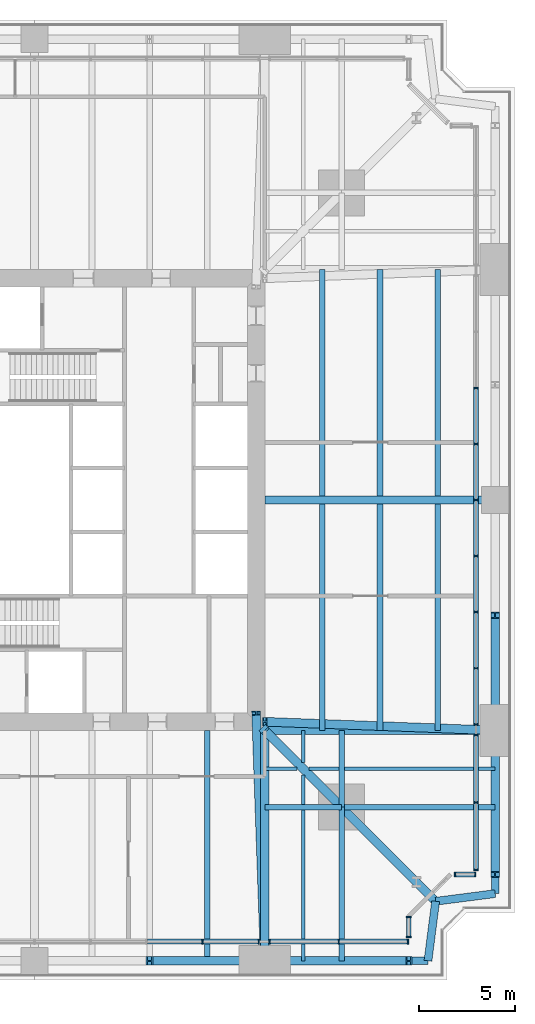
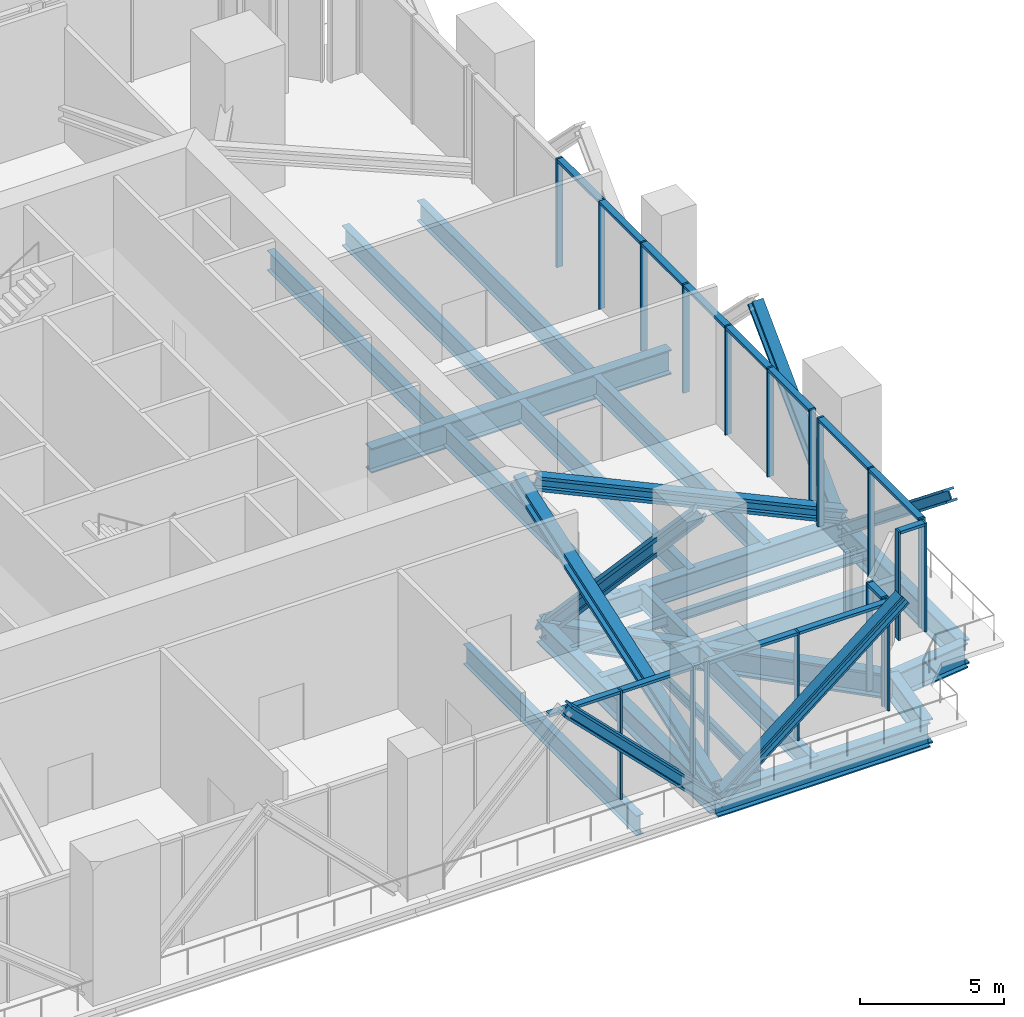
# One storey, part 4 of 13: 40 members, 26 beams, 6 elements without a shape of their own.
"""IFC4 building model written with IfcOpenShell, lengths in metres."""

from ifc_helpers import new_model, si_unit, direction, frame, origin, origin_2d, place, context, subcontext, project, spatial, rectangle, i_section, extrude, material, material_profile, profile_set, type_object, element, aggregate, save


model = new_model("IFC4")

# Units and contexts
model_context = context("Model", 3, precision=1e-05, world=origin(), true_north=direction((0.0, 1.0)))
body_context = subcontext(model_context, "Body", "Model", "MODEL_VIEW")
ifc_project = project(units=[si_unit("LENGTHUNIT", "METRE"), si_unit("AREAUNIT", "SQUARE_METRE"), si_unit("VOLUMEUNIT", "CUBIC_METRE"), si_unit("PLANEANGLEUNIT", "RADIAN"), si_unit("MASSUNIT", "GRAM", prefix="KILO")], contexts=[model_context])

# Site, building, storey
site_placement = place(None, origin())
site = spatial("IfcSite", under=ifc_project, at=site_placement, CompositionType="ELEMENT")
building_placement = place(site_placement, origin())
building = spatial("IfcBuilding", under=site, at=building_placement, Name="Fenwick Lantern Interchange", CompositionType="ELEMENT")
storey_placement = place(building_placement, frame((0.0, 0.0, 91.0)))
storey = spatial("IfcBuildingStorey", under=building, at=storey_placement, Name="L21", CompositionType="ELEMENT", Elevation=91.0)

# Members
ifc_material_1 = material(Name="Steel ASTM A992 Grade 50", Category="steel")
ifc_material_profile_1 = material_profile(ifc_material_1, i_section(OverallWidth=0.431884765625, OverallDepth=0.497802734375, WebThickness=0.0556640625, FlangeThickness=0.0888671875, at=origin_2d()), Name="W14X500")
ifc_profile_set_1 = profile_set([ifc_material_profile_1], Name="Steel ASTM A992 Grade 50")
member_type_1 = type_object("IfcMemberType", Name="BELT TRUSS DIAGONAL W14X500", PredefinedType="BRACE", material=ifc_profile_set_1)
member_1_placement = place(storey_placement, frame((37.0, 1.0, -0.64990234375), z_axis=(-0.707106781187, 0.0, 0.707106781187), x_axis=(0.0, -1.0, 0.0)))
element("IfcMember", 1, at=member_1_placement, inside=storey, type_object=member_type_1, Name="L21/BT/S/D5", PredefinedType="BRACE", context=body_context, shape_type="SweptSolid", body=[
    extrude(i_section(OverallWidth=0.431884765625, OverallDepth=0.497802734375, WebThickness=0.0556640625, FlangeThickness=0.0888671875, at=origin_2d()), origin(), (0.0, 0.0, 1.0), 8.4853515625),
])
for number, where, z_axis, x_axis, name in (
    (2, (37.0, 1.0, -0.64990234375), (0.780868809443, 0.0, 0.624695047554), (0.0, 1.0, 0.0), "L21/BT/S/D6"),
    (3, (49.0, 13.0, -0.64990234375), (0.0, -0.780868809443, 0.624695047554), (1.0, 0.0, 0.0), "L21/BT/E/D1"),
):
    element("IfcMember", number, at=place(storey_placement, frame(where, z_axis=z_axis, x_axis=x_axis)), inside=storey, type_object=member_type_1, Name=name, PredefinedType="BRACE", context=body_context, shape_type="SweptSolid", body=[
        extrude(i_section(OverallWidth=0.431884765625, OverallDepth=0.497802734375, WebThickness=0.0556640625, FlangeThickness=0.0888671875, at=origin_2d()), origin(), (0.0, 0.0, 1.0), 9.604736328125),
    ])
member_2_placement = place(storey_placement, frame((49.0, 13.0, -0.64990234375), z_axis=(0.0, 0.707106781187, 0.707106781187), x_axis=(-1.0, 0.0, 0.0)))
element("IfcMember", 4, at=member_2_placement, inside=storey, type_object=member_type_1, Name="L21/BT/E/D2", PredefinedType="BRACE", context=body_context, shape_type="SweptSolid", body=[
    extrude(i_section(OverallWidth=0.431884765625, OverallDepth=0.497802734375, WebThickness=0.0556640625, FlangeThickness=0.0888671875, at=origin_2d()), origin(), (0.0, 0.0, 1.0), 8.4853515625),
])

# Beams
ifc_material_profile_2 = material_profile(ifc_material_1, i_section(OverallWidth=0.408935546875, OverallDepth=1.04150390625, WebThickness=0.031005859375, FlangeThickness=0.055908203125, at=origin_2d()), Name="W40X397")
ifc_profile_set_2 = profile_set([ifc_material_profile_2], Name="Steel ASTM A992 Grade 50")
beam_type_1 = type_object("IfcBeamType", Name="EDGE BEAM W40X397", PredefinedType="SPANDREL", material=ifc_profile_set_2)
beam_1_placement = place(storey_placement, frame((37.0, 1.0, -0.720703125), z_axis=(1.0, 0.0, 0.0), x_axis=(0.0, 1.0, 0.0)))
element("IfcBeam", 5, at=beam_1_placement, inside=storey, type_object=beam_type_1, Name="L21/FR/S/EB4", PredefinedType="SPANDREL", context=body_context, shape_type="SweptSolid", body=[
    extrude(i_section(OverallWidth=0.408935546875, OverallDepth=1.04150390625, WebThickness=0.031005859375, FlangeThickness=0.055908203125, at=origin_2d()), origin(), (0.0, 0.0, 1.0), 8.5),
])
for number, where, z_axis, x_axis, name in (
    (6, (45.5, 1.0, -0.720703125), (0.127936641807, 0.991782342897, 0.0), (-0.991782342897, 0.127936641807, 0.0), "L21/FR/S/EBR1"),
    (7, (45.89990234375, 4.10009765625, -0.720703125), (0.991782342897, 0.127936641807, 0.0), (-0.127936641807, 0.991782342897, 0.0), "L21/FR/S/EBR2"),
):
    element("IfcBeam", number, at=place(storey_placement, frame(where, z_axis=z_axis, x_axis=x_axis)), inside=storey, type_object=beam_type_1, Name=name, PredefinedType="SPANDREL", context=body_context, shape_type="SweptSolid", body=[
        extrude(i_section(OverallWidth=0.408935546875, OverallDepth=1.04150390625, WebThickness=0.031005859375, FlangeThickness=0.055908203125, at=origin_2d()), origin(), (0.0, 0.0, 1.0), 3.125732421875),
    ])
beam_2_placement = place(storey_placement, frame((49.0, 4.5, -0.720703125), z_axis=(0.0, 1.0, 0.0), x_axis=(-1.0, 0.0, 0.0)))
element("IfcBeam", 8, at=beam_2_placement, inside=storey, type_object=beam_type_1, Name="L21/FR/E/EB1", PredefinedType="SPANDREL", context=body_context, shape_type="SweptSolid", body=[
    extrude(i_section(OverallWidth=0.408935546875, OverallDepth=1.04150390625, WebThickness=0.031005859375, FlangeThickness=0.055908203125, at=origin_2d()), origin(), (0.0, 0.0, 1.0), 8.5),
])
ifc_material_profile_3 = material_profile(ifc_material_1, i_section(OverallWidth=0.2919921875, OverallDepth=0.845703125, WebThickness=0.015380859375, FlangeThickness=0.0244140625, at=origin_2d()), Name="W33X141")
ifc_profile_set_3 = profile_set([ifc_material_profile_3], Name="Steel ASTM A992 Grade 50")
beam_type_2 = type_object("IfcBeamType", Name="FLOOR BEAM W33X141", PredefinedType="BEAM", material=ifc_profile_set_3)
beam_3_placement = place(storey_placement, frame((34.0, 1.0, -0.622802734375), z_axis=(0.0, 1.0, 0.0), x_axis=(-1.0, 0.0, 0.0)))
element("IfcBeam", 9, at=beam_3_placement, inside=storey, type_object=beam_type_2, Name="L21/FR/S/R08", PredefinedType="BEAM", context=body_context, shape_type="SweptSolid", body=[
    extrude(i_section(OverallWidth=0.2919921875, OverallDepth=0.845703125, WebThickness=0.015380859375, FlangeThickness=0.0244140625, at=origin_2d()), origin(), (0.0, 0.0, 1.0), 12.0),
])
for number, where, z_axis, x_axis, name in (
    (10, (46.0, 13.0, -0.622802734375), (0.0, 1.0, 0.0), (-1.0, 0.0, 0.0), "L21/FR/E/B01"),
    (11, (43.0, 13.0, -0.622802734375), (0.0, 1.0, 0.0), (-1.0, 0.0, 0.0), "L21/FR/E/B02"),
    (12, (40.0, 13.0, -0.622802734375), (0.0, 1.0, 0.0), (-1.0, 0.0, 0.0), "L21/FR/E/B03"),
    (13, (46.0, 25.20458984375, -0.622802734375), (0.0, 1.0, 0.0), (-1.0, 0.0, 0.0), "L21/FR/E/B04"),
    (14, (43.0, 25.20458984375, -0.622802734375), (0.0, 1.0, 0.0), (-1.0, 0.0, 0.0), "L21/FR/E/B05"),
    (15, (40.0, 25.20458984375, -0.622802734375), (0.0, 1.0, 0.0), (-1.0, 0.0, 0.0), "L21/FR/E/B06"),
):
    element("IfcBeam", number, at=place(storey_placement, frame(where, z_axis=z_axis, x_axis=x_axis)), inside=storey, type_object=beam_type_2, Name=name, PredefinedType="BEAM", context=body_context, shape_type="SweptSolid", body=[
        extrude(i_section(OverallWidth=0.2919921875, OverallDepth=0.845703125, WebThickness=0.015380859375, FlangeThickness=0.0244140625, at=origin_2d()), origin(), (0.0, 0.0, 1.0), 11.79541015625),
    ])
ifc_material_profile_4 = material_profile(ifc_material_1, i_section(OverallWidth=0.177734375, OverallDepth=0.406494140625, WebThickness=0.0078125, FlangeThickness=0.012939453125, at=origin_2d()), Name="W16X40")
ifc_profile_set_4 = profile_set([ifc_material_profile_4], Name="Steel ASTM A992 Grade 50")
beam_type_3 = type_object("IfcBeamType", Name="INFILL BEAM W16X40", PredefinedType="JOIST", material=ifc_profile_set_4)
beam_4_placement = place(storey_placement, frame((49.0, 11.0, -0.4033203125), z_axis=(-1.0, 0.0, 0.0), x_axis=(0.0, -1.0, 0.0)))
element("IfcBeam", 16, at=beam_4_placement, inside=storey, type_object=beam_type_3, Name="L21/FR/E/J1", PredefinedType="JOIST", context=body_context, shape_type="SweptSolid", body=[
    extrude(i_section(OverallWidth=0.177734375, OverallDepth=0.406494140625, WebThickness=0.0078125, FlangeThickness=0.012939453125, at=origin_2d()), origin(), (0.0, 0.0, 1.0), 7.85400390625),
])
beam_5_placement = place(storey_placement, frame((40.85400390625, 11.0, -0.4033203125), z_axis=(-1.0, 0.0, 0.0), x_axis=(0.0, -1.0, 0.0)))
element("IfcBeam", 17, at=beam_5_placement, inside=storey, type_object=beam_type_3, Name="L21/FR/E/J2", PredefinedType="JOIST", context=body_context, shape_type="SweptSolid", body=[
    extrude(i_section(OverallWidth=0.177734375, OverallDepth=0.406494140625, WebThickness=0.0078125, FlangeThickness=0.012939453125, at=origin_2d()), origin(), (0.0, 0.0, 1.0), 1.537841796875),
])
beam_6_placement = place(storey_placement, frame((38.683837890625, 11.0, -0.4033203125), z_axis=(-1.0, 0.0, 0.0), x_axis=(0.0, -1.0, 0.0)))
element("IfcBeam", 18, at=beam_6_placement, inside=storey, type_object=beam_type_3, Name="L21/FR/E/J6", PredefinedType="JOIST", context=body_context, shape_type="SweptSolid", body=[
    extrude(i_section(OverallWidth=0.177734375, OverallDepth=0.406494140625, WebThickness=0.0078125, FlangeThickness=0.012939453125, at=origin_2d()), origin(), (0.0, 0.0, 1.0), 1.683837890625),
])
beam_7_placement = place(storey_placement, frame((39.0, 1.0, -0.4033203125), z_axis=(0.0, 1.0, 0.0), x_axis=(-1.0, 0.0, 0.0)))
element("IfcBeam", 19, at=beam_7_placement, inside=storey, type_object=beam_type_3, Name="L21/FR/E/J3", PredefinedType="JOIST", context=body_context, shape_type="SweptSolid", body=[
    extrude(i_section(OverallWidth=0.177734375, OverallDepth=0.406494140625, WebThickness=0.0078125, FlangeThickness=0.012939453125, at=origin_2d()), origin(), (0.0, 0.0, 1.0), 7.85400390625),
])
beam_8_placement = place(storey_placement, frame((39.0, 9.14599609375, -0.4033203125), z_axis=(0.0, 1.0, 0.0), x_axis=(-1.0, 0.0, 0.0)))
element("IfcBeam", 20, at=beam_8_placement, inside=storey, type_object=beam_type_3, Name="L21/FR/E/J4", PredefinedType="JOIST", context=body_context, shape_type="SweptSolid", body=[
    extrude(i_section(OverallWidth=0.177734375, OverallDepth=0.406494140625, WebThickness=0.0078125, FlangeThickness=0.012939453125, at=origin_2d()), origin(), (0.0, 0.0, 1.0), 1.537841796875),
])
beam_9_placement = place(storey_placement, frame((39.0, 11.316162109375, -0.4033203125), z_axis=(0.0, 1.0, 0.0), x_axis=(-1.0, 0.0, 0.0)))
element("IfcBeam", 21, at=beam_9_placement, inside=storey, type_object=beam_type_3, Name="L21/FR/E/J5", PredefinedType="JOIST", context=body_context, shape_type="SweptSolid", body=[
    extrude(i_section(OverallWidth=0.177734375, OverallDepth=0.406494140625, WebThickness=0.0078125, FlangeThickness=0.012939453125, at=origin_2d()), origin(), (0.0, 0.0, 1.0), 1.683837890625),
])
ifc_material_profile_5 = material_profile(ifc_material_1, i_section(OverallWidth=0.2919921875, OverallDepth=0.845703125, WebThickness=0.015380859375, FlangeThickness=0.0244140625, at=origin_2d()), Name="W33X141")
ifc_profile_set_5 = profile_set([ifc_material_profile_5], Name="Steel ASTM A992 Grade 50")
beam_type_4 = type_object("IfcBeamType", Name="MEGA COLUMN BEAM W33X141", PredefinedType="BEAM", material=ifc_profile_set_5)
for number, where, z_axis, x_axis, name in (
    (22, (41.0, 9.0, -0.622802734375), (1.0, 0.0, 0.0), (0.0, 1.0, 0.0), "L21/FR/E/MB1"),
    (23, (41.0, 9.0, -0.622802734375), (0.0, -1.0, 0.0), (1.0, 0.0, 0.0), "L21/FR/E/MB2"),
):
    element("IfcBeam", number, at=place(storey_placement, frame(where, z_axis=z_axis, x_axis=x_axis)), inside=storey, type_object=beam_type_4, Name=name, PredefinedType="BEAM", context=body_context, shape_type="SweptSolid", body=[
        extrude(i_section(OverallWidth=0.2919921875, OverallDepth=0.845703125, WebThickness=0.015380859375, FlangeThickness=0.0244140625, at=origin_2d()), origin(), (0.0, 0.0, 1.0), 8.0),
    ])
for number, where, z_axis, x_axis, name in (
    (24, (41.0, 9.0, -0.622802734375), (0.0, 1.0, 0.0), (-1.0, 0.0, 0.0), "L21/FR/E/MB3"),
    (25, (41.0, 9.0, -0.622802734375), (-1.0, 0.0, 0.0), (0.0, -1.0, 0.0), "L21/FR/E/MB4"),
):
    element("IfcBeam", number, at=place(storey_placement, frame(where, z_axis=z_axis, x_axis=x_axis)), inside=storey, type_object=beam_type_4, Name=name, PredefinedType="BEAM", context=body_context, shape_type="SweptSolid", body=[
        extrude(i_section(OverallWidth=0.2919921875, OverallDepth=0.845703125, WebThickness=0.015380859375, FlangeThickness=0.0244140625, at=origin_2d()), origin(), (0.0, 0.0, 1.0), 4.0),
    ])
ifc_material_profile_6 = material_profile(ifc_material_1, i_section(OverallWidth=0.424072265625, OverallDepth=0.947509765625, WebThickness=0.02392578125, FlangeThickness=0.042724609375, at=origin_2d()), Name="W36X302")
ifc_profile_set_6 = profile_set([ifc_material_profile_6], Name="Steel ASTM A992 Grade 50")
beam_type_5 = type_object("IfcBeamType", Name="MOMENT-CONNECTED GIRDER W36X302", PredefinedType="BEAM", material=ifc_profile_set_6)
for number, where, z_axis, x_axis, name in (
    (26, (37.0, 1.0, -0.673828125), (0.0, 1.0, 0.0), (-1.0, 0.0, 0.0), "L21/FR/S/R09"),
    (27, (49.0, 13.0, -0.673828125), (-1.0, 0.0, 0.0), (0.0, -1.0, 0.0), "L21/FR/E/R01"),
):
    element("IfcBeam", number, at=place(storey_placement, frame(where, z_axis=z_axis, x_axis=x_axis)), inside=storey, type_object=beam_type_5, Name=name, PredefinedType="BEAM", context=body_context, shape_type="SweptSolid", body=[
        extrude(i_section(OverallWidth=0.424072265625, OverallDepth=0.947509765625, WebThickness=0.02392578125, FlangeThickness=0.042724609375, at=origin_2d()), origin(), (0.0, 0.0, 1.0), 12.0),
    ])
ifc_material_profile_7 = material_profile(ifc_material_1, i_section(OverallWidth=0.408935546875, OverallDepth=1.04150390625, WebThickness=0.031005859375, FlangeThickness=0.055908203125, at=origin_2d()), Name="W40X397")
ifc_profile_set_7 = profile_set([ifc_material_profile_7], Name="Steel ASTM A992 Grade 50")
beam_type_6 = type_object("IfcBeamType", Name="MOMENT-CONNECTED GIRDER W40X397", PredefinedType="BEAM", material=ifc_profile_set_7)
beam_10_placement = place(storey_placement, frame((49.0, 25.0, -0.720703125), z_axis=(-1.0, 0.0, 0.0), x_axis=(0.0, -1.0, 0.0)))
element("IfcBeam", 28, at=beam_10_placement, inside=storey, type_object=beam_type_6, Name="L21/FR/E/R02", PredefinedType="BEAM", context=body_context, shape_type="SweptSolid", body=[
    extrude(i_section(OverallWidth=0.408935546875, OverallDepth=1.04150390625, WebThickness=0.031005859375, FlangeThickness=0.055908203125, at=origin_2d()), origin(), (0.0, 0.0, 1.0), 12.0),
])
ifc_material_profile_8 = material_profile(ifc_material_1, i_section(OverallWidth=0.447021484375, OverallDepth=1.0439453125, WebThickness=0.050048828125, FlangeThickness=0.08984375, at=origin_2d()), Name="W36X652")
ifc_profile_set_8 = profile_set([ifc_material_profile_8], Name="Steel ASTM A992 Grade 50")
beam_type_7 = type_object("IfcBeamType", Name="NOTCH BEAM W36X652", PredefinedType="BEAM", material=ifc_profile_set_8)
beam_11_placement = place(storey_placement, frame((41.0, 9.0, -0.721923828125), z_axis=(0.707106781187, -0.707106781187, 0.0), x_axis=(0.707106781187, 0.707106781187, 0.0)))
element("IfcBeam", 29, at=beam_11_placement, inside=storey, type_object=beam_type_7, Name="L21/FR/E/TG", PredefinedType="BEAM", context=body_context, shape_type="SweptSolid", body=[
    extrude(i_section(OverallWidth=0.447021484375, OverallDepth=1.0439453125, WebThickness=0.050048828125, FlangeThickness=0.08984375, at=origin_2d()), origin(), (0.0, 0.0, 1.0), 6.929443359375),
])
ifc_material_profile_9 = material_profile(ifc_material_1, i_section(OverallWidth=0.447021484375, OverallDepth=1.0439453125, WebThickness=0.050048828125, FlangeThickness=0.08984375, at=origin_2d()), Name="W36X652")
ifc_profile_set_9 = profile_set([ifc_material_profile_9], Name="Steel ASTM A992 Grade 50")
beam_type_8 = type_object("IfcBeamType", Name="OUTRIGGER CHORD W36X652", PredefinedType="BEAM", material=ifc_profile_set_9)
beam_12_placement = place(storey_placement, frame((37.0, 13.0, -0.721923828125), z_axis=(0.707106781187, -0.707106781187, 0.0), x_axis=(0.707106781187, 0.707106781187, 0.0)))
element("IfcBeam", 30, at=beam_12_placement, inside=storey, type_object=beam_type_8, Name="L21/OR/E/BC", PredefinedType="BEAM", context=body_context, shape_type="SweptSolid", body=[
    extrude(i_section(OverallWidth=0.447021484375, OverallDepth=1.0439453125, WebThickness=0.050048828125, FlangeThickness=0.08984375, at=origin_2d()), origin(), (0.0, 0.0, 1.0), 5.65673828125),
])

# Members
ifc_material_profile_10 = material_profile(ifc_material_1, i_section(OverallWidth=0.45458984375, OverallDepth=0.56884765625, WebThickness=0.077880859375, FlangeThickness=0.124755859375, at=origin_2d()), Name="W14X730")
ifc_profile_set_10 = profile_set([ifc_material_profile_10], Name="Steel ASTM A992 Grade 50")
member_type_2 = type_object("IfcMemberType", Name="OUTRIGGER DIAGONAL W14X730", PredefinedType="BRACE", material=ifc_profile_set_10)
member_3_placement = place(storey_placement, frame((37.0, 1.0, 0.0), z_axis=(-0.032223486879, 0.923833206581, 0.381436565252), x_axis=(-0.999392240336, -0.034859001078, 0.0)))
element("IfcMember", 31, at=member_3_placement, inside=storey, type_object=member_type_2, Name="L21/OR/S/W2", PredefinedType="BRACE", context=body_context, shape_type="SweptSolid", body=[
    extrude(i_section(OverallWidth=0.45458984375, OverallDepth=0.56884765625, WebThickness=0.077880859375, FlangeThickness=0.124755859375, at=origin_2d()), origin(), (0.0, 0.0, 1.0), 13.96337890625),
])
member_4_placement = place(storey_placement, frame((37.0, 13.0, -0.721923828125), z_axis=(0.485071250073, -0.485071250073, 0.727606875109), x_axis=(0.707106781187, 0.707106781187, 0.0)))
element("IfcMember", 32, at=member_4_placement, inside=storey, type_object=member_type_2, Name="L21/OR/E/D", PredefinedType="BRACE", context=body_context, shape_type="SweptSolid", body=[
    extrude(i_section(OverallWidth=0.45458984375, OverallDepth=0.56884765625, WebThickness=0.077880859375, FlangeThickness=0.124755859375, at=origin_2d()), origin(), (0.0, 0.0, 1.0), 8.24609375),
])
member_5_placement = place(storey_placement, frame((49.0, 13.0, 0.0), z_axis=(-0.913477570557, 0.034251691946, 0.405444878729), x_axis=(-0.037469600146, -0.999297767968, 0.0)))
element("IfcMember", 33, at=member_5_placement, inside=storey, type_object=member_type_2, Name="L21/OR/E/W1", PredefinedType="BRACE", context=body_context, shape_type="SweptSolid", body=[
    extrude(i_section(OverallWidth=0.45458984375, OverallDepth=0.56884765625, WebThickness=0.077880859375, FlangeThickness=0.124755859375, at=origin_2d()), origin(), (0.0, 0.0, 1.0), 13.13671875),
])

# Curtain wall, members
ifc_material_2 = material(Name="Aluminium curtain wall frame", Category="aluminium")
curtain_wall_type = type_object("IfcCurtainWallType", Name="PLANT LOUVRE SCREEN", PredefinedType="USERDEFINED", material=ifc_material_2)
curtain_wall_1_placement = place(storey_placement, origin())
curtain_wall_1 = element("IfcCurtainWall", 34, at=curtain_wall_1_placement, inside=storey, type_object=curtain_wall_type, Name="Plant louvre screen 01", ObjectType="PLANT LOUVRE SCREEN", PredefinedType="USERDEFINED")
ifc_material_3 = material(Name="Aluminium extrusion", Category="aluminium")
ifc_material_profile_11 = material_profile(ifc_material_3, rectangle(XDim=0.25, YDim=0.074951171875, at=origin_2d()), Name="PLANT LOUVRE SCREEN MULLION 75 X 250")
ifc_profile_set_11 = profile_set([ifc_material_profile_11], Name="Aluminium extrusion")
member_type_3 = type_object("IfcMemberType", Name="PLANT LOUVRE SCREEN MULLION 75 X 250", PredefinedType="MULLION", material=ifc_profile_set_11)
member_6_placement = place(storey_placement, frame((44.5, 2.237548828125, 0.0), z_axis=(0.0, 0.0, 1.0), x_axis=(-1.0, 0.0, 0.0)))
member_6 = element("IfcMember", 35, at=member_6_placement, type_object=member_type_3, Name="L21/CW/01/M00", PredefinedType="MULLION", context=body_context, shape_type="SweptSolid", body=[
    extrude(rectangle(XDim=0.25, YDim=0.074951171875, at=origin_2d()), origin(), (0.0, 0.0, 1.0), 4.60009765625),
])
member_7_placement = place(storey_placement, frame((44.5, 3.291015625, 0.0), z_axis=(0.0, 0.0, 1.0), x_axis=(-1.0, 0.0, 0.0)))
member_7 = element("IfcMember", 36, at=member_7_placement, type_object=member_type_3, Name="L21/CW/01/M01", PredefinedType="MULLION", context=body_context, shape_type="SweptSolid", body=[
    extrude(rectangle(XDim=0.25, YDim=0.074951171875, at=origin_2d()), origin(), (0.0, 0.0, 1.0), 4.60009765625),
])

curtain_wall_2_placement = place(storey_placement, origin())
curtain_wall_2 = element("IfcCurtainWall", 37, at=curtain_wall_2_placement, inside=storey, type_object=curtain_wall_type, Name="Plant louvre screen 03", ObjectType="PLANT LOUVRE SCREEN", PredefinedType="USERDEFINED")
member_8_placement = place(storey_placement, frame((46.9091796875, 5.5, 0.0), z_axis=(0.0, 0.0, 1.0), x_axis=(0.0, 1.0, 0.0)))
member_8 = element("IfcMember", 38, at=member_8_placement, type_object=member_type_3, Name="L21/CW/03/M00", PredefinedType="MULLION", context=body_context, shape_type="SweptSolid", body=[
    extrude(rectangle(XDim=0.25, YDim=0.074951171875, at=origin_2d()), origin(), (0.0, 0.0, 1.0), 4.60009765625),
])
member_9_placement = place(storey_placement, frame((47.96240234375, 5.5, 0.0), z_axis=(0.0, 0.0, 1.0), x_axis=(0.0, 1.0, 0.0)))
member_9 = element("IfcMember", 39, at=member_9_placement, type_object=member_type_3, Name="L21/CW/03/M01", PredefinedType="MULLION", context=body_context, shape_type="SweptSolid", body=[
    extrude(rectangle(XDim=0.25, YDim=0.074951171875, at=origin_2d()), origin(), (0.0, 0.0, 1.0), 4.60009765625),
])

curtain_wall_3_placement = place(storey_placement, origin())
curtain_wall_3 = element("IfcCurtainWall", 40, at=curtain_wall_3_placement, inside=storey, type_object=curtain_wall_type, Name="Plant louvre screen 04A", ObjectType="PLANT LOUVRE SCREEN", PredefinedType="USERDEFINED")
member_10_placement = place(storey_placement, frame((48.0, 5.737548828125, 0.0), z_axis=(0.0, 0.0, 1.0), x_axis=(-1.0, 0.0, 0.0)))
member_10 = element("IfcMember", 41, at=member_10_placement, type_object=member_type_3, Name="L21/CW/04A/M00", PredefinedType="MULLION", context=body_context, shape_type="SweptSolid", body=[
    extrude(rectangle(XDim=0.25, YDim=0.074951171875, at=origin_2d()), origin(), (0.0, 0.0, 1.0), 4.60009765625),
])
member_11_placement = place(storey_placement, frame((48.0, 9.24755859375, 0.0), z_axis=(0.0, 0.0, 1.0), x_axis=(-1.0, 0.0, 0.0)))
member_11 = element("IfcMember", 42, at=member_11_placement, type_object=member_type_3, Name="L21/CW/04A/M01", PredefinedType="MULLION", context=body_context, shape_type="SweptSolid", body=[
    extrude(rectangle(XDim=0.25, YDim=0.074951171875, at=origin_2d()), origin(), (0.0, 0.0, 1.0), 4.60009765625),
])
member_12_placement = place(storey_placement, frame((48.0, 12.7578125, 0.0), z_axis=(0.0, 0.0, 1.0), x_axis=(-1.0, 0.0, 0.0)))
member_12 = element("IfcMember", 43, at=member_12_placement, type_object=member_type_3, Name="L21/CW/04A/M02", PredefinedType="MULLION", context=body_context, shape_type="SweptSolid", body=[
    extrude(rectangle(XDim=0.25, YDim=0.074951171875, at=origin_2d()), origin(), (0.0, 0.0, 1.0), 4.60009765625),
])

curtain_wall_4_placement = place(storey_placement, origin())
curtain_wall_4 = element("IfcCurtainWall", 44, at=curtain_wall_4_placement, inside=storey, type_object=curtain_wall_type, Name="Plant louvre screen 04B", ObjectType="PLANT LOUVRE SCREEN", PredefinedType="USERDEFINED")
member_13_placement = place(storey_placement, frame((48.0, 13.317138671875, 0.0), z_axis=(0.0, 0.0, 1.0), x_axis=(-1.0, 0.0, 0.0)))
member_13 = element("IfcMember", 45, at=member_13_placement, type_object=member_type_3, Name="L21/CW/04B/M00", PredefinedType="MULLION", context=body_context, shape_type="SweptSolid", body=[
    extrude(rectangle(XDim=0.25, YDim=0.074951171875, at=origin_2d()), origin(), (0.0, 0.0, 1.0), 4.60009765625),
])
member_14_placement = place(storey_placement, frame((48.0, 16.23779296875, 0.0), z_axis=(0.0, 0.0, 1.0), x_axis=(-1.0, 0.0, 0.0)))
member_14 = element("IfcMember", 46, at=member_14_placement, type_object=member_type_3, Name="L21/CW/04B/M01", PredefinedType="MULLION", context=body_context, shape_type="SweptSolid", body=[
    extrude(rectangle(XDim=0.25, YDim=0.074951171875, at=origin_2d()), origin(), (0.0, 0.0, 1.0), 4.60009765625),
])
member_15_placement = place(storey_placement, frame((48.0, 19.15869140625, 0.0), z_axis=(0.0, 0.0, 1.0), x_axis=(-1.0, 0.0, 0.0)))
member_15 = element("IfcMember", 47, at=member_15_placement, type_object=member_type_3, Name="L21/CW/04B/M02", PredefinedType="MULLION", context=body_context, shape_type="SweptSolid", body=[
    extrude(rectangle(XDim=0.25, YDim=0.074951171875, at=origin_2d()), origin(), (0.0, 0.0, 1.0), 4.60009765625),
])
member_16_placement = place(storey_placement, frame((48.0, 22.079345703125, 0.0), z_axis=(0.0, 0.0, 1.0), x_axis=(-1.0, 0.0, 0.0)))
member_16 = element("IfcMember", 48, at=member_16_placement, type_object=member_type_3, Name="L21/CW/04B/M03", PredefinedType="MULLION", context=body_context, shape_type="SweptSolid", body=[
    extrude(rectangle(XDim=0.25, YDim=0.074951171875, at=origin_2d()), origin(), (0.0, 0.0, 1.0), 4.60009765625),
])
member_17_placement = place(storey_placement, frame((48.0, 25.0, 0.0), z_axis=(0.0, 0.0, 1.0), x_axis=(-1.0, 0.0, 0.0)))
member_17 = element("IfcMember", 49, at=member_17_placement, type_object=member_type_3, Name="L21/CW/04B/M04", PredefinedType="MULLION", context=body_context, shape_type="SweptSolid", body=[
    extrude(rectangle(XDim=0.25, YDim=0.074951171875, at=origin_2d()), origin(), (0.0, 0.0, 1.0), 4.60009765625),
])
member_18_placement = place(storey_placement, frame((48.0, 27.920654296875, 0.0), z_axis=(0.0, 0.0, 1.0), x_axis=(-1.0, 0.0, 0.0)))
member_18 = element("IfcMember", 50, at=member_18_placement, type_object=member_type_3, Name="L21/CW/04B/M05", PredefinedType="MULLION", context=body_context, shape_type="SweptSolid", body=[
    extrude(rectangle(XDim=0.25, YDim=0.074951171875, at=origin_2d()), origin(), (0.0, 0.0, 1.0), 4.60009765625),
])
member_19_placement = place(storey_placement, frame((48.0, 30.84130859375, 0.0), z_axis=(0.0, 0.0, 1.0), x_axis=(-1.0, 0.0, 0.0)))
member_19 = element("IfcMember", 51, at=member_19_placement, type_object=member_type_3, Name="L21/CW/04B/M06", PredefinedType="MULLION", context=body_context, shape_type="SweptSolid", body=[
    extrude(rectangle(XDim=0.25, YDim=0.074951171875, at=origin_2d()), origin(), (0.0, 0.0, 1.0), 4.60009765625),
])

curtain_wall_5_placement = place(storey_placement, origin())
curtain_wall_5 = element("IfcCurtainWall", 52, at=curtain_wall_5_placement, inside=storey, type_object=curtain_wall_type, Name="Plant louvre screen 16B", ObjectType="PLANT LOUVRE SCREEN", PredefinedType="USERDEFINED")
member_20_placement = place(storey_placement, frame((33.764404296875, 2.0, 0.0), z_axis=(0.0, 0.0, 1.0), x_axis=(0.0, 1.0, 0.0)))
member_20 = element("IfcMember", 53, at=member_20_placement, type_object=member_type_3, Name="L21/CW/16B/M07", PredefinedType="MULLION", context=body_context, shape_type="SweptSolid", body=[
    extrude(rectangle(XDim=0.25, YDim=0.074951171875, at=origin_2d()), origin(), (0.0, 0.0, 1.0), 4.60009765625),
])
member_21_placement = place(storey_placement, frame((36.685791015625, 2.0, 0.0), z_axis=(0.0, 0.0, 1.0), x_axis=(0.0, 1.0, 0.0)))
member_21 = element("IfcMember", 54, at=member_21_placement, type_object=member_type_3, Name="L21/CW/16B/M08", PredefinedType="MULLION", context=body_context, shape_type="SweptSolid", body=[
    extrude(rectangle(XDim=0.25, YDim=0.074951171875, at=origin_2d()), origin(), (0.0, 0.0, 1.0), 4.60009765625),
])

curtain_wall_6_placement = place(storey_placement, origin())
curtain_wall_6 = element("IfcCurtainWall", 55, at=curtain_wall_6_placement, inside=storey, type_object=curtain_wall_type, Name="Plant louvre screen 16C", ObjectType="PLANT LOUVRE SCREEN", PredefinedType="USERDEFINED")
member_22_placement = place(storey_placement, frame((37.244384765625, 2.0, 0.0), z_axis=(0.0, 0.0, 1.0), x_axis=(0.0, 1.0, 0.0)))
member_22 = element("IfcMember", 56, at=member_22_placement, type_object=member_type_3, Name="L21/CW/16C/M00", PredefinedType="MULLION", context=body_context, shape_type="SweptSolid", body=[
    extrude(rectangle(XDim=0.25, YDim=0.074951171875, at=origin_2d()), origin(), (0.0, 0.0, 1.0), 4.60009765625),
])
member_23_placement = place(storey_placement, frame((40.853515625, 2.0, 0.0), z_axis=(0.0, 0.0, 1.0), x_axis=(0.0, 1.0, 0.0)))
member_23 = element("IfcMember", 57, at=member_23_placement, type_object=member_type_3, Name="L21/CW/16C/M01", PredefinedType="MULLION", context=body_context, shape_type="SweptSolid", body=[
    extrude(rectangle(XDim=0.25, YDim=0.074951171875, at=origin_2d()), origin(), (0.0, 0.0, 1.0), 4.60009765625),
])
member_24_placement = place(storey_placement, frame((44.46240234375, 2.0, 0.0), z_axis=(0.0, 0.0, 1.0), x_axis=(0.0, 1.0, 0.0)))
member_24 = element("IfcMember", 58, at=member_24_placement, type_object=member_type_3, Name="L21/CW/16C/M02", PredefinedType="MULLION", context=body_context, shape_type="SweptSolid", body=[
    extrude(rectangle(XDim=0.25, YDim=0.074951171875, at=origin_2d()), origin(), (0.0, 0.0, 1.0), 4.60009765625),
])

# Member
ifc_material_profile_12 = material_profile(ifc_material_3, rectangle(XDim=0.25, YDim=0.1201171875, at=origin_2d()), Name="PLANT LOUVRE SCREEN TRANSOM 120 X 250")
ifc_profile_set_12 = profile_set([ifc_material_profile_12], Name="Aluminium extrusion")
member_type_4 = type_object("IfcMemberType", Name="PLANT LOUVRE SCREEN TRANSOM 120 X 250", PredefinedType="MULLION", material=ifc_profile_set_12)
member_25_placement = place(storey_placement, frame((44.5, 2.27490234375, 4.5400390625), z_axis=(0.0, 1.0, 0.0), x_axis=(-1.0, 0.0, 0.0)))
member_25 = element("IfcMember", 59, at=member_25_placement, type_object=member_type_4, Name="L21/CW/01/T00", PredefinedType="MULLION", context=body_context, shape_type="SweptSolid", body=[
    extrude(rectangle(XDim=0.25, YDim=0.1201171875, at=origin_2d()), origin(), (0.0, 0.0, 1.0), 0.978515625),
])

aggregate(curtain_wall_1, [member_6, member_7, member_25])

member_26_placement = place(storey_placement, frame((46.946533203125, 5.5, 4.5400390625), z_axis=(1.0, 0.0, 0.0), x_axis=(0.0, 1.0, 0.0)))
member_26 = element("IfcMember", 60, at=member_26_placement, type_object=member_type_4, Name="L21/CW/03/T00", PredefinedType="MULLION", context=body_context, shape_type="SweptSolid", body=[
    extrude(rectangle(XDim=0.25, YDim=0.1201171875, at=origin_2d()), origin(), (0.0, 0.0, 1.0), 0.978515625),
])

aggregate(curtain_wall_2, [member_8, member_9, member_26])

member_27_placement = place(storey_placement, frame((48.0, 5.77490234375, 4.5400390625), z_axis=(0.0, 1.0, 0.0), x_axis=(-1.0, 0.0, 0.0)))
member_27 = element("IfcMember", 61, at=member_27_placement, type_object=member_type_4, Name="L21/CW/04A/T00", PredefinedType="MULLION", context=body_context, shape_type="SweptSolid", body=[
    extrude(rectangle(XDim=0.25, YDim=0.1201171875, at=origin_2d()), origin(), (0.0, 0.0, 1.0), 3.435302734375),
])

member_28_placement = place(storey_placement, frame((48.0, 9.28515625, 4.5400390625), z_axis=(0.0, 1.0, 0.0), x_axis=(-1.0, 0.0, 0.0)))
member_28 = element("IfcMember", 62, at=member_28_placement, type_object=member_type_4, Name="L21/CW/04A/T01", PredefinedType="MULLION", context=body_context, shape_type="SweptSolid", body=[
    extrude(rectangle(XDim=0.25, YDim=0.1201171875, at=origin_2d()), origin(), (0.0, 0.0, 1.0), 3.43505859375),
])

aggregate(curtain_wall_3, [member_10, member_11, member_12, member_27, member_28])

member_29_placement = place(storey_placement, frame((48.0, 13.354736328125, 4.5400390625), z_axis=(0.0, 1.0, 0.0), x_axis=(-1.0, 0.0, 0.0)))
member_29 = element("IfcMember", 63, at=member_29_placement, type_object=member_type_4, Name="L21/CW/04B/T00", PredefinedType="MULLION", context=body_context, shape_type="SweptSolid", body=[
    extrude(rectangle(XDim=0.25, YDim=0.1201171875, at=origin_2d()), origin(), (0.0, 0.0, 1.0), 2.845703125),
])

member_30_placement = place(storey_placement, frame((48.0, 16.275390625, 4.5400390625), z_axis=(0.0, 1.0, 0.0), x_axis=(-1.0, 0.0, 0.0)))
member_30 = element("IfcMember", 64, at=member_30_placement, type_object=member_type_4, Name="L21/CW/04B/T01", PredefinedType="MULLION", context=body_context, shape_type="SweptSolid", body=[
    extrude(rectangle(XDim=0.25, YDim=0.1201171875, at=origin_2d()), origin(), (0.0, 0.0, 1.0), 2.845703125),
])

member_31_placement = place(storey_placement, frame((48.0, 19.196044921875, 4.5400390625), z_axis=(0.0, 1.0, 0.0), x_axis=(-1.0, 0.0, 0.0)))
member_31 = element("IfcMember", 65, at=member_31_placement, type_object=member_type_4, Name="L21/CW/04B/T02", PredefinedType="MULLION", context=body_context, shape_type="SweptSolid", body=[
    extrude(rectangle(XDim=0.25, YDim=0.1201171875, at=origin_2d()), origin(), (0.0, 0.0, 1.0), 2.845703125),
])

member_32_placement = place(storey_placement, frame((48.0, 22.11669921875, 4.5400390625), z_axis=(0.0, 1.0, 0.0), x_axis=(-1.0, 0.0, 0.0)))
member_32 = element("IfcMember", 66, at=member_32_placement, type_object=member_type_4, Name="L21/CW/04B/T03", PredefinedType="MULLION", context=body_context, shape_type="SweptSolid", body=[
    extrude(rectangle(XDim=0.25, YDim=0.1201171875, at=origin_2d()), origin(), (0.0, 0.0, 1.0), 2.845703125),
])

member_33_placement = place(storey_placement, frame((48.0, 25.03759765625, 4.5400390625), z_axis=(0.0, 1.0, 0.0), x_axis=(-1.0, 0.0, 0.0)))
member_33 = element("IfcMember", 67, at=member_33_placement, type_object=member_type_4, Name="L21/CW/04B/T04", PredefinedType="MULLION", context=body_context, shape_type="SweptSolid", body=[
    extrude(rectangle(XDim=0.25, YDim=0.1201171875, at=origin_2d()), origin(), (0.0, 0.0, 1.0), 2.845703125),
])

member_34_placement = place(storey_placement, frame((48.0, 27.958251953125, 4.5400390625), z_axis=(0.0, 1.0, 0.0), x_axis=(-1.0, 0.0, 0.0)))
member_34 = element("IfcMember", 68, at=member_34_placement, type_object=member_type_4, Name="L21/CW/04B/T05", PredefinedType="MULLION", context=body_context, shape_type="SweptSolid", body=[
    extrude(rectangle(XDim=0.25, YDim=0.1201171875, at=origin_2d()), origin(), (0.0, 0.0, 1.0), 2.845703125),
])

aggregate(curtain_wall_4, [member_13, member_14, member_15, member_16, member_17, member_18, member_19, member_29, member_30, member_31, member_32, member_33, member_34])

member_35_placement = place(storey_placement, frame((30.88037109375, 2.0, 4.5400390625), z_axis=(1.0, 0.0, 0.0), x_axis=(0.0, 1.0, 0.0)))
member_35 = element("IfcMember", 69, at=member_35_placement, type_object=member_type_4, Name="L21/CW/16B/T06", PredefinedType="MULLION", context=body_context, shape_type="SweptSolid", body=[
    extrude(rectangle(XDim=0.25, YDim=0.1201171875, at=origin_2d()), origin(), (0.0, 0.0, 1.0), 2.846435546875),
])

member_36_placement = place(storey_placement, frame((33.8017578125, 2.0, 4.5400390625), z_axis=(1.0, 0.0, 0.0), x_axis=(0.0, 1.0, 0.0)))
member_36 = element("IfcMember", 70, at=member_36_placement, type_object=member_type_4, Name="L21/CW/16B/T07", PredefinedType="MULLION", context=body_context, shape_type="SweptSolid", body=[
    extrude(rectangle(XDim=0.25, YDim=0.1201171875, at=origin_2d()), origin(), (0.0, 0.0, 1.0), 2.846435546875),
])

aggregate(curtain_wall_5, [member_20, member_21, member_35, member_36])

member_37_placement = place(storey_placement, frame((37.281982421875, 2.0, 4.5400390625), z_axis=(1.0, 0.0, 0.0), x_axis=(0.0, 1.0, 0.0)))
member_37 = element("IfcMember", 71, at=member_37_placement, type_object=member_type_4, Name="L21/CW/16C/T00", PredefinedType="MULLION", context=body_context, shape_type="SweptSolid", body=[
    extrude(rectangle(XDim=0.25, YDim=0.1201171875, at=origin_2d()), origin(), (0.0, 0.0, 1.0), 3.533935546875),
])

member_38_placement = place(storey_placement, frame((40.890869140625, 2.0, 4.5400390625), z_axis=(1.0, 0.0, 0.0), x_axis=(0.0, 1.0, 0.0)))
member_38 = element("IfcMember", 72, at=member_38_placement, type_object=member_type_4, Name="L21/CW/16C/T01", PredefinedType="MULLION", context=body_context, shape_type="SweptSolid", body=[
    extrude(rectangle(XDim=0.25, YDim=0.1201171875, at=origin_2d()), origin(), (0.0, 0.0, 1.0), 3.5341796875),
])

aggregate(curtain_wall_6, [member_22, member_23, member_24, member_37, member_38])

save(model, "model.ifc")
